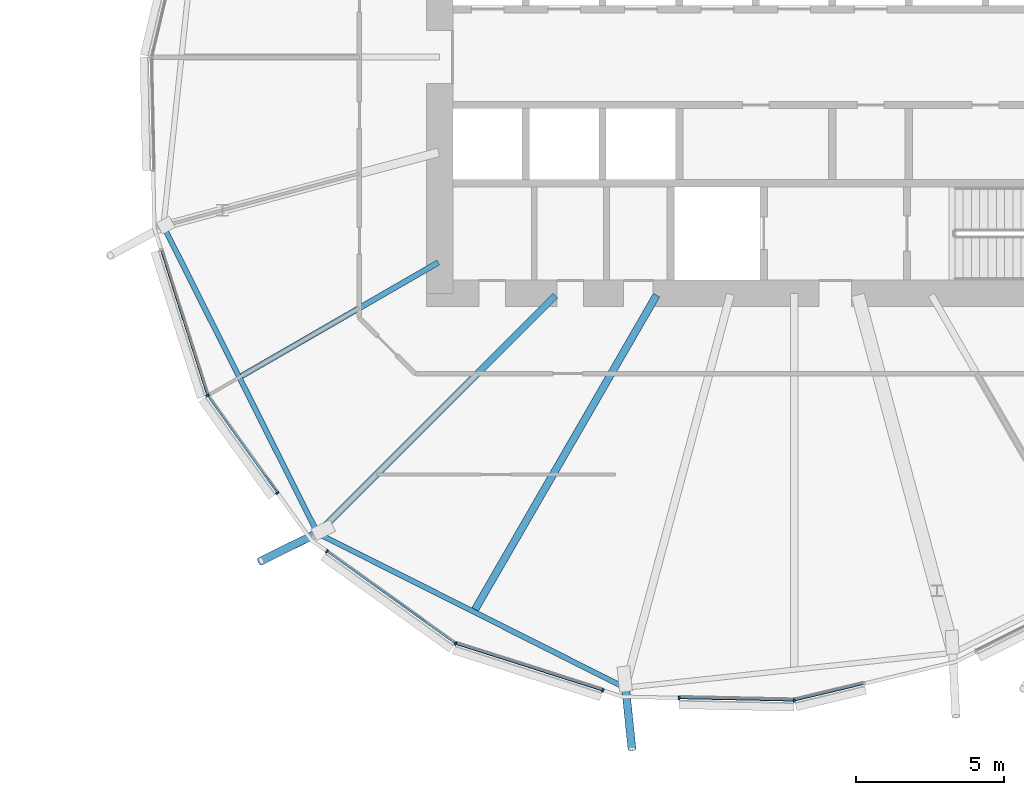
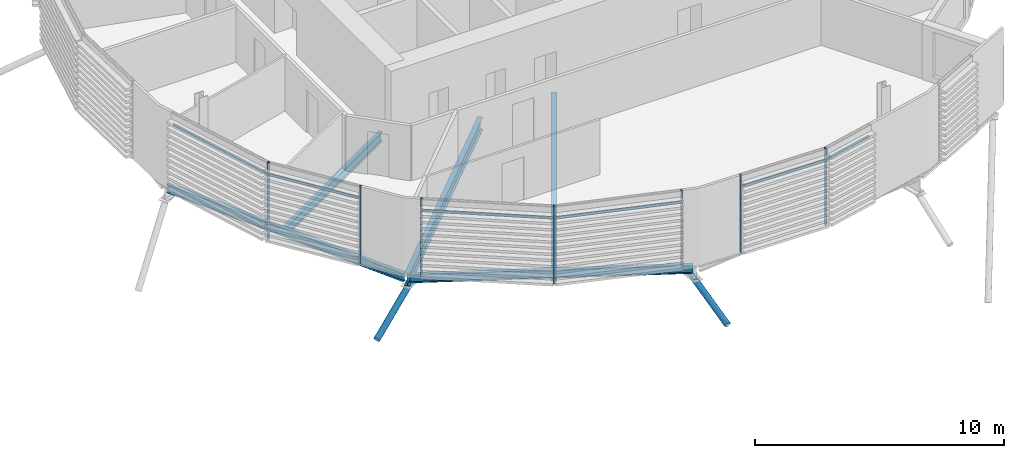
# One storey, part 12 of 38: 15 members, 5 beams, 1 element without a shape of its own.
"""IFC4 building model written with IfcOpenShell, lengths in metres."""

from ifc_helpers import new_model, si_unit, direction, frame, origin, origin_2d, place, context, subcontext, project, spatial, rectangle, hollow_circle, i_section, extrude, clip, halfspace, material, material_profile, profile_set, type_object, element, aggregate, save


model = new_model("IFC4")

# Units and contexts
model_context = context("Model", 3, precision=1e-05, world=origin(), true_north=direction((0.0, 1.0)))
body_context = subcontext(model_context, "Body", "Model", "MODEL_VIEW")
ifc_project = project(units=[si_unit("LENGTHUNIT", "METRE"), si_unit("AREAUNIT", "SQUARE_METRE"), si_unit("VOLUMEUNIT", "CUBIC_METRE"), si_unit("PLANEANGLEUNIT", "RADIAN"), si_unit("MASSUNIT", "GRAM", prefix="KILO")], contexts=[model_context])

# Site, building, storey
site_placement = place(None, origin())
site = spatial("IfcSite", under=ifc_project, at=site_placement, CompositionType="ELEMENT")
building_placement = place(site_placement, origin())
building = spatial("IfcBuilding", under=site, at=building_placement, Name="Rimbun Link Towers", CompositionType="ELEMENT")
storey_placement = place(building_placement, frame((0.0, 0.0, 56.60009765625)))
storey = spatial("IfcBuildingStorey", under=building, at=storey_placement, Name="L13", CompositionType="ELEMENT", Elevation=56.60009765625)

# Curtain wall, members
ifc_material_1 = material(Name="Aluminium 6063-T6 and low-iron glass", Category="aluminium")
curtain_wall_type = type_object("IfcCurtainWallType", Name="CW1 unitised vision wall", PredefinedType="NOTDEFINED", material=ifc_material_1)
curtain_wall_placement = place(storey_placement, origin())
curtain_wall = element("IfcCurtainWall", 1, at=curtain_wall_placement, inside=storey, type_object=curtain_wall_type, Name="CW1 L13 T2", PredefinedType="NOTDEFINED")
ifc_material_2 = material(Name="Aluminium 6063-T6", Category="aluminium")
ifc_material_profile_1 = material_profile(ifc_material_2, rectangle(XDim=0.1201171875, YDim=0.06005859375, at=origin_2d()), Name="MULLION 60X120")
ifc_profile_set_1 = profile_set([ifc_material_profile_1], Name="Aluminium 6063-T6")
member_type_1 = type_object("IfcMemberType", Name="CW1 mullion 60X120", PredefinedType="MULLION", material=ifc_profile_set_1)
member_1_placement = place(storey_placement, frame((11.884521484375, -11.46533203125, 0.0), z_axis=(0.0, 0.0, 1.0), x_axis=(-0.89374591816, -0.448573554472, 0.0)))
member_1 = element("IfcMember", 2, at=member_1_placement, type_object=member_type_1, Name="CW1 mullion", PredefinedType="MULLION", context=body_context, shape_type="SweptSolid", body=[
    extrude(rectangle(XDim=0.1201171875, YDim=0.06005859375, at=origin_2d()), origin(), (0.0, 0.0, 1.0), 3.7998046875),
])
member_2_placement = place(storey_placement, frame((14.250732421875, -14.76416015625, 0.0), z_axis=(0.0, 0.0, 1.0), x_axis=(-0.812469264421, -0.583004026034, 0.0)))
member_2 = element("IfcMember", 3, at=member_2_placement, type_object=member_type_1, Name="CW1 mullion", PredefinedType="MULLION", context=body_context, shape_type="SweptSolid", body=[
    extrude(rectangle(XDim=0.1201171875, YDim=0.06005859375, at=origin_2d()), origin(), (0.0, 0.0, 1.0), 3.7998046875),
])
member_3_placement = place(storey_placement, frame((20.28466796875, -19.865478515625, 0.0), z_axis=(0.0, 0.0, 1.0), x_axis=(-0.448573554472, -0.89374591816, 0.0)))
member_3 = element("IfcMember", 4, at=member_3_placement, type_object=member_type_1, Name="CW1 mullion", PredefinedType="MULLION", context=body_context, shape_type="SweptSolid", body=[
    extrude(rectangle(XDim=0.1201171875, YDim=0.06005859375, at=origin_2d()), origin(), (0.0, 0.0, 1.0), 3.7998046875),
])
member_4_placement = place(storey_placement, frame((15.929443359375, -16.7412109375, 0.0), z_axis=(0.0, 0.0, 1.0), x_axis=(-0.583004026034, -0.812469264421, 0.0)))
member_4 = element("IfcMember", 5, at=member_4_placement, type_object=member_type_1, Name="CW1 mullion", PredefinedType="MULLION", context=body_context, shape_type="SweptSolid", body=[
    extrude(rectangle(XDim=0.1201171875, YDim=0.06005859375, at=origin_2d()), origin(), (0.0, 0.0, 1.0), 3.7998046875),
])
member_5_placement = place(storey_placement, frame((25.27490234375, -21.453369140625, 0.0), z_axis=(0.0, 0.0, 1.0), x_axis=(-0.303073433186, -0.952967205153, 0.0)))
member_5 = element("IfcMember", 6, at=member_5_placement, type_object=member_type_1, Name="CW1 mullion", PredefinedType="MULLION", context=body_context, shape_type="SweptSolid", body=[
    extrude(rectangle(XDim=0.1201171875, YDim=0.06005859375, at=origin_2d()), origin(), (0.0, 0.0, 1.0), 3.7998046875),
])
member_6_placement = place(storey_placement, frame((31.75634765625, -21.7900390625, 0.0), z_axis=(0.0, 0.0, 1.0), x_axis=(0.106639525927, -0.994297747916, 0.0)))
member_6 = element("IfcMember", 7, at=member_6_placement, type_object=member_type_1, Name="CW1 mullion", PredefinedType="MULLION", context=body_context, shape_type="SweptSolid", body=[
    extrude(rectangle(XDim=0.1201171875, YDim=0.06005859375, at=origin_2d()), origin(), (0.0, 0.0, 1.0), 3.7998046875),
])
member_7_placement = place(storey_placement, frame((27.8583984375, -21.708251953125, 0.0), z_axis=(0.0, 0.0, 1.0), x_axis=(-0.02106649948, -0.999778076675, 0.0)))
member_7 = element("IfcMember", 8, at=member_7_placement, type_object=member_type_1, Name="CW1 mullion", PredefinedType="MULLION", context=body_context, shape_type="SweptSolid", body=[
    extrude(rectangle(XDim=0.1201171875, YDim=0.06005859375, at=origin_2d()), origin(), (0.0, 0.0, 1.0), 3.7998046875),
])
ifc_material_3 = material(Name="Aluminium 6063-T6", Category="aluminium")
ifc_material_profile_2 = material_profile(ifc_material_3, rectangle(XDim=0.06005859375, YDim=0.1201171875, at=origin_2d()), Name="TRANSOM 60X120")
ifc_profile_set_2 = profile_set([ifc_material_profile_2], Name="Aluminium 6063-T6")
member_type_2 = type_object("IfcMemberType", Name="CW1 transom 60X120", PredefinedType="USERDEFINED", material=ifc_profile_set_2)
member_8_placement = place(storey_placement, frame((11.873779296875, -11.427490234375, 3.199951171875), z_axis=(-0.303087473621, 0.952962739741, 0.0), x_axis=(-0.952962739741, -0.303087473621, 0.0)))
member_8 = element("IfcMember", 9, at=member_8_placement, type_object=member_type_2, Name="CW1 transom", ObjectType="TRANSOM", PredefinedType="USERDEFINED", context=body_context, shape_type="SweptSolid", body=[
    extrude(rectangle(XDim=0.06005859375, YDim=0.1201171875, at=origin_2d()), origin(), (0.0, 0.0, 1.0), 5.117431640625),
])
member_9_placement = place(storey_placement, frame((14.23486328125, -14.73876953125, 3.199951171875), z_axis=(-0.582990413826, 0.812479031967, 0.0), x_axis=(-0.812479031967, -0.582990413826, 0.0)))
member_9 = element("IfcMember", 10, at=member_9_placement, type_object=member_type_2, Name="CW1 transom", ObjectType="TRANSOM", PredefinedType="USERDEFINED", context=body_context, shape_type="SweptSolid", body=[
    extrude(rectangle(XDim=0.06005859375, YDim=0.1201171875, at=origin_2d()), origin(), (0.0, 0.0, 1.0), 3.990478515625),
])
member_10_placement = place(storey_placement, frame((20.25341796875, -19.841552734375, 3.199951171875), z_axis=(-0.812459368995, 0.583017815965, 0.0), x_axis=(-0.583017815965, -0.812459368995, 0.0)))
member_10 = element("IfcMember", 11, at=member_10_placement, type_object=member_type_2, Name="CW1 transom", ObjectType="TRANSOM", PredefinedType="USERDEFINED", context=body_context, shape_type="SweptSolid", body=[
    extrude(rectangle(XDim=0.06005859375, YDim=0.1201171875, at=origin_2d()), origin(), (0.0, 0.0, 1.0), 5.29052734375),
])
member_11_placement = place(storey_placement, frame((25.246826171875, -21.4423828125, 3.199951171875), z_axis=(-0.95296300276, 0.303086646639, 0.0), x_axis=(-0.303086646639, -0.95296300276, 0.0)))
member_11 = element("IfcMember", 12, at=member_11_placement, type_object=member_type_2, Name="CW1 transom", ObjectType="TRANSOM", PredefinedType="USERDEFINED", context=body_context, shape_type="SweptSolid", body=[
    extrude(rectangle(XDim=0.06005859375, YDim=0.1201171875, at=origin_2d()), origin(), (0.0, 0.0, 1.0), 5.16748046875),
])
member_12_placement = place(storey_placement, frame((31.71875, -21.78759765625, 3.199951171875), z_axis=(-0.999778862049, 0.021029193988, 0.0), x_axis=(-0.021029193988, -0.999778862049, 0.0)))
member_12 = element("IfcMember", 13, at=member_12_placement, type_object=member_type_2, Name="CW1 transom", ObjectType="TRANSOM", PredefinedType="USERDEFINED", context=body_context, shape_type="SweptSolid", body=[
    extrude(rectangle(XDim=0.06005859375, YDim=0.1201171875, at=origin_2d()), origin(), (0.0, 0.0, 1.0), 3.8310546875),
])
member_13_placement = place(storey_placement, frame((34.093994140625, -21.229248046875, 3.199951171875), z_axis=(-0.972556563442, -0.232666565941, 0.0), x_axis=(0.232666565941, -0.972556563442, 0.0)))
member_13 = element("IfcMember", 14, at=member_13_placement, type_object=member_type_2, Name="CW1 transom", ObjectType="TRANSOM", PredefinedType="USERDEFINED", context=body_context, shape_type="SweptSolid", body=[
    extrude(rectangle(XDim=0.06005859375, YDim=0.1201171875, at=origin_2d()), origin(), (0.0, 0.0, 1.0), 2.3662109375),
])
aggregate(curtain_wall, [member_1, member_2, member_3, member_4, member_5, member_6, member_7, member_8, member_9, member_10, member_11, member_12, member_13])

# Members
ifc_material_4 = material(Name="Steel S355J2H", Category="steel")
ifc_material_profile_3 = material_profile(ifc_material_4, hollow_circle(Radius=0.136474609375, WallThickness=0.012451171875, at=origin_2d()), Name="CHS 273x12.5")
ifc_profile_set_3 = profile_set([ifc_material_profile_3], Name="Steel S355J2H")
member_type_3 = type_object("IfcMemberType", Name="Floor edge link CHS 273x12.5", PredefinedType="BRACE", material=ifc_profile_set_3)
member_14_placement = place(storey_placement, frame((15.65087890625, -16.09912109375, -0.881103515625), z_axis=(-0.779412228087, -0.385971829413, -0.493500076604), x_axis=(0.443775469097, -0.896138010034, 0.0)))
element("IfcMember", 15, at=member_14_placement, inside=storey, type_object=member_type_3, Name="Floor edge link T2 L13 12", PredefinedType="BRACE", context=body_context, shape_type="Clipping", body=[
    clip(extrude(hollow_circle(Radius=0.136474609375, WallThickness=0.012451171875, at=origin_2d()), frame((0.0, 0.0, -0.50146484375)), (0.0, 0.0, 1.0), 3.05126953125), halfspace(frame((0.0, 0.0, -0.23583984375), z_axis=(0.0, 0.86974575273, -0.493500076604)), False)),
])
member_15_placement = place(storey_placement, frame((26.03955078125, -21.311279296875, -1.047607421875), z_axis=(0.094981195443, -0.91529235697, -0.391431314261), x_axis=(0.994658844019, 0.103217169185, 0.0)))
element("IfcMember", 16, at=member_15_placement, inside=storey, type_object=member_type_3, Name="Floor edge link T2 L13 14", PredefinedType="BRACE", context=body_context, shape_type="Clipping", body=[
    clip(extrude(hollow_circle(Radius=0.136474609375, WallThickness=0.012451171875, at=origin_2d()), frame((0.0, 0.0, -0.66748046875)), (0.0, 0.0, 1.0), 3.001220703125), halfspace(frame((0.0, 0.0, -0.31494140625), z_axis=(0.0, 0.920207327843, -0.391431314261)), False)),
])

# Beams
ifc_material_5 = material(Name="Steel S355J2", Category="steel")
ifc_material_profile_4 = material_profile(ifc_material_5, i_section(OverallWidth=0.177978515625, OverallDepth=0.406494140625, WebThickness=0.0078125, FlangeThickness=0.0126953125, at=origin_2d()), Name="UB 406x178x60")
ifc_profile_set_4 = profile_set([ifc_material_profile_4], Name="Steel S355J2")
beam_type_1 = type_object("IfcBeamType", Name="UB 406x178x60", PredefinedType="BEAM", material=ifc_profile_set_4)
beam_1_placement = place(storey_placement, frame((10.457763671875, -5.857666015625, -0.36328125), z_axis=(0.448560658217, -0.89375239071, 0.0), x_axis=(0.89375239071, 0.448560658217, 0.0)))
element("IfcBeam", 17, at=beam_1_placement, inside=storey, type_object=beam_type_1, Name="Edge beam T2 L13 10-12", PredefinedType="BEAM", context=body_context, shape_type="SweptSolid", body=[
    extrude(i_section(OverallWidth=0.177978515625, OverallDepth=0.406494140625, WebThickness=0.0078125, FlangeThickness=0.0126953125, at=origin_2d()), origin(), (0.0, 0.0, 1.0), 11.37744140625),
])
beam_2_placement = place(storey_placement, frame((15.7236328125, -16.188720703125, -0.36328125), z_axis=(0.893753168057, -0.448559109358, 0.0), x_axis=(0.448559109358, 0.893753168057, 0.0)))
element("IfcBeam", 18, at=beam_2_placement, inside=storey, type_object=beam_type_1, Name="Edge beam T2 L13 12-14", PredefinedType="BEAM", context=body_context, shape_type="SweptSolid", body=[
    extrude(i_section(OverallWidth=0.177978515625, OverallDepth=0.406494140625, WebThickness=0.0078125, FlangeThickness=0.0126953125, at=origin_2d()), origin(), (0.0, 0.0, 1.0), 11.390625),
])
ifc_material_6 = material(Name="Steel S355J2", Category="steel")
ifc_material_profile_5 = material_profile(ifc_material_6, i_section(OverallWidth=0.18994140625, OverallDepth=0.453369140625, WebThickness=0.008544921875, FlangeThickness=0.0126953125, at=origin_2d()), Name="UB 457x191x67")
ifc_profile_set_5 = profile_set([ifc_material_profile_5], Name="Steel S355J2")
beam_type_2 = type_object("IfcBeamType", Name="UB 457x191x67", PredefinedType="BEAM", material=ifc_profile_set_5)
beam_3_placement = place(storey_placement, frame((19.70166015625, -6.9560546875, -0.38671875), z_axis=(-0.866019623948, -0.500010010836, 0.0), x_axis=(0.500010010836, -0.866019623948, 0.0)))
element("IfcBeam", 19, at=beam_3_placement, inside=storey, type_object=beam_type_2, Name="Radial beam T2 L13 11", PredefinedType="BEAM", context=body_context, shape_type="SweptSolid", body=[
    extrude(i_section(OverallWidth=0.18994140625, OverallDepth=0.453369140625, WebThickness=0.008544921875, FlangeThickness=0.0126953125, at=origin_2d()), origin(), (0.0, 0.0, 1.0), 7.692138671875),
])
ifc_material_7 = material(Name="Steel S355J2", Category="steel")
ifc_material_profile_6 = material_profile(ifc_material_7, i_section(OverallWidth=0.2275390625, OverallDepth=0.6025390625, WebThickness=0.010498046875, FlangeThickness=0.014892578125, at=origin_2d()), Name="UB 610x229x101")
ifc_profile_set_6 = profile_set([ifc_material_profile_6], Name="Steel S355J2")
beam_type_3 = type_object("IfcBeamType", Name="UB 610x229x101", PredefinedType="BEAM", material=ifc_profile_set_6)
beam_4_placement = place(storey_placement, frame((23.668701171875, -8.081298828125, -0.46142578125), z_axis=(-0.707106781187, -0.707106781187, 0.0), x_axis=(0.707106781187, -0.707106781187, 0.0)))
element("IfcBeam", 20, at=beam_4_placement, inside=storey, type_object=beam_type_3, Name="Radial beam T2 L13 12", PredefinedType="BEAM", context=body_context, shape_type="SweptSolid", body=[
    extrude(i_section(OverallWidth=0.2275390625, OverallDepth=0.6025390625, WebThickness=0.010498046875, FlangeThickness=0.014892578125, at=origin_2d()), origin(), (0.0, 0.0, 1.0), 11.388916015625),
])
ifc_material_8 = material(Name="Steel S355J2", Category="steel")
ifc_material_profile_7 = material_profile(ifc_material_8, i_section(OverallWidth=0.253662109375, OverallDepth=0.68359375, WebThickness=0.012451171875, FlangeThickness=0.01904296875, at=origin_2d()), Name="UB 686x254x140")
ifc_profile_set_7 = profile_set([ifc_material_profile_7], Name="Steel S355J2")
beam_type_4 = type_object("IfcBeamType", Name="UB 686x254x140", PredefinedType="BEAM", material=ifc_profile_set_7)
beam_5_placement = place(storey_placement, frame((27.093994140625, -8.064208984375, -0.501708984375), z_axis=(-0.499994660107, -0.866028486751, 0.0), x_axis=(0.866028486751, -0.499994660107, 0.0)))
element("IfcBeam", 21, at=beam_5_placement, inside=storey, type_object=beam_type_4, Name="Radial beam T2 L13 13", PredefinedType="BEAM", context=body_context, shape_type="SweptSolid", body=[
    extrude(i_section(OverallWidth=0.253662109375, OverallDepth=0.68359375, WebThickness=0.012451171875, FlangeThickness=0.01904296875, at=origin_2d()), origin(), (0.0, 0.0, 1.0), 12.292724609375),
])

save(model, "model.ifc")
